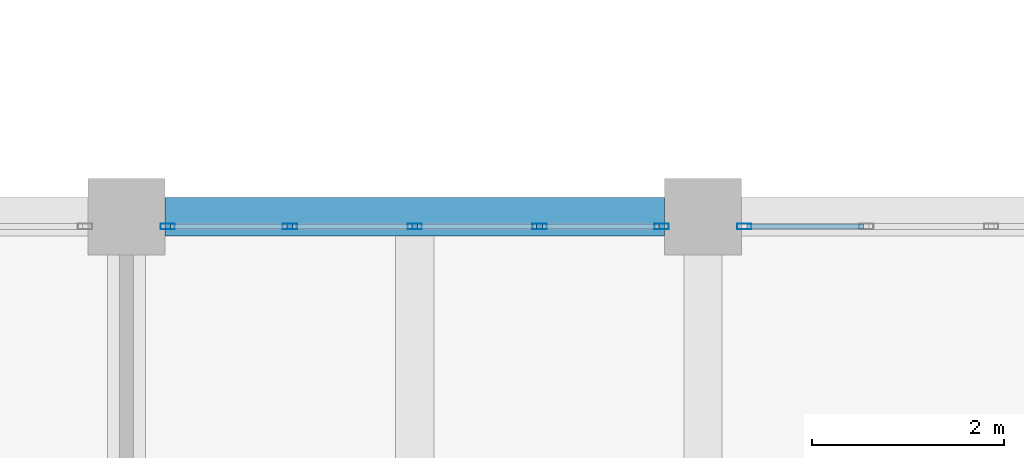
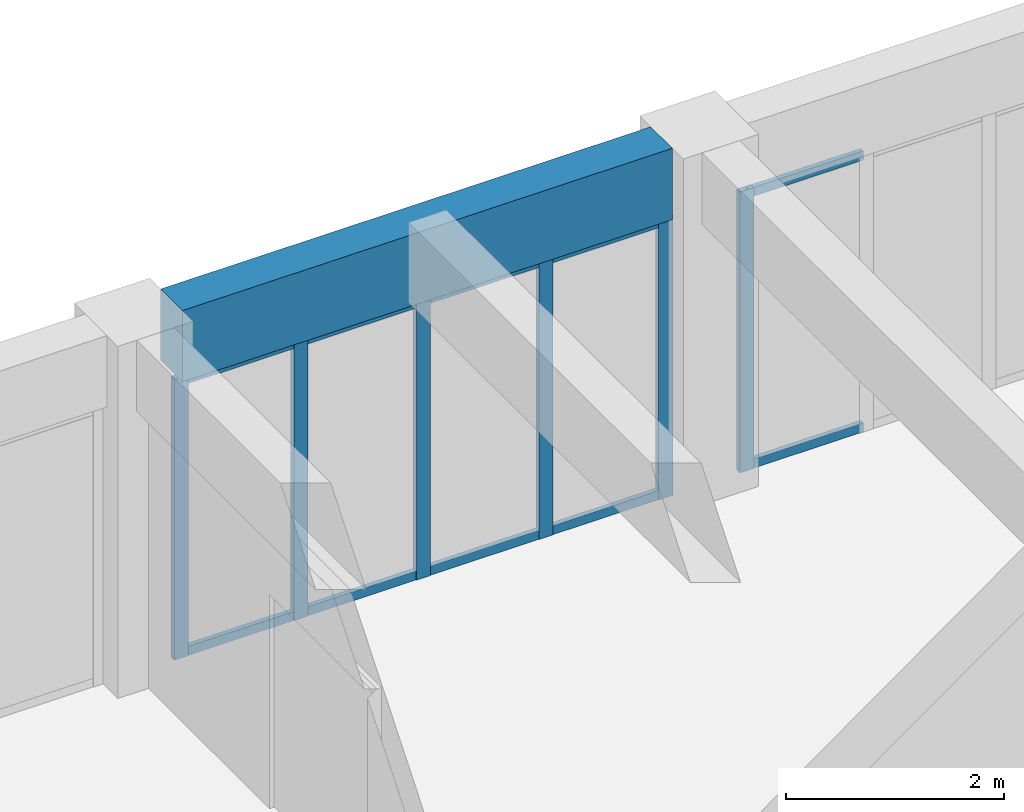
# One storey, part 17 of 92: 16 members, 1 beam, 2 elements without a shape of their own.
"""IFC4 building model written with IfcOpenShell, lengths in metres."""

from ifc_helpers import new_model, si_unit, direction, frame, origin, origin_2d, place, context, subcontext, project, spatial, rectangle, hollow_rectangle, extrude, material, material_profile, profile_set, type_object, element, aggregate, save


model = new_model("IFC4")

# Units and contexts
model_context = context("Model", 3, precision=1e-05, world=origin(), true_north=direction((0.0, 1.0)))
body_context = subcontext(model_context, "Body", "Model", "MODEL_VIEW")
ifc_project = project(units=[si_unit("LENGTHUNIT", "METRE"), si_unit("AREAUNIT", "SQUARE_METRE"), si_unit("VOLUMEUNIT", "CUBIC_METRE"), si_unit("PLANEANGLEUNIT", "RADIAN"), si_unit("MASSUNIT", "GRAM", prefix="KILO")], contexts=[model_context])

# Site, building, storey
site_placement = place(None, origin())
site = spatial("IfcSite", under=ifc_project, at=site_placement, CompositionType="ELEMENT")
building_placement = place(site_placement, origin())
building = spatial("IfcBuilding", under=site, at=building_placement, Name="Laocheng Heights Fire and Rescue Headquarters", CompositionType="ELEMENT")
storey_placement = place(building_placement, frame((0.0, 0.0, 12.60009765625)))
storey = spatial("IfcBuildingStorey", under=building, at=storey_placement, Name="L03", CompositionType="ELEMENT", Elevation=12.60009765625)

# Curtain wall, members
ifc_material_1 = material(Name="Aluminium unitised curtain wall, low-e double glazing", Category="aluminium")
curtain_wall_type = type_object("IfcCurtainWallType", Name="CW 5200 x 3150 GALLERY UNIT", PredefinedType="NOTDEFINED", material=ifc_material_1)
curtain_wall_1_placement = place(storey_placement, origin())
curtain_wall_1 = element("IfcCurtainWall", 1, at=curtain_wall_1_placement, inside=storey, type_object=curtain_wall_type, Name="Gallery north glazing L03", PredefinedType="NOTDEFINED")
ifc_material_2 = material(Name="Aluminium 6063-T5 extrusion", Category="aluminium")
ifc_material_profile_1 = material_profile(ifc_material_2, hollow_rectangle(XDim=0.06005859375, YDim=0.14990234375, WallThickness=0.0029296875, at=origin_2d()), Name="AL MULLION 150x60x3")
ifc_profile_set_1 = profile_set([ifc_material_profile_1], Name="Aluminium 6063-T5 extrusion")
member_type_1 = type_object("IfcMemberType", Name="AL CURTAIN WALL MULLION 150x60x3", PredefinedType="MULLION", material=ifc_profile_set_1)
member_1_placement = place(storey_placement, frame((48.429931640625, 28.699951171875, 0.0), z_axis=(0.0, 0.0, 1.0), x_axis=(0.0, 1.0, 0.0)))
member_1 = element("IfcMember", 2, at=member_1_placement, type_object=member_type_1, Name="X6-E mullion 1", PredefinedType="MULLION", context=body_context, shape_type="SweptSolid", body=[
    extrude(hollow_rectangle(XDim=0.06005859375, YDim=0.14990234375, WallThickness=0.0029296875, at=origin_2d()), origin(), (0.0, 0.0, 1.0), 3.14990234375),
])
member_2_placement = place(storey_placement, frame((49.699951171875, 28.699951171875, 0.0), z_axis=(0.0, 0.0, 1.0), x_axis=(0.0, 1.0, 0.0)))
member_2 = element("IfcMember", 3, at=member_2_placement, type_object=member_type_1, Name="X6-E mullion 2", PredefinedType="MULLION", context=body_context, shape_type="SweptSolid", body=[
    extrude(hollow_rectangle(XDim=0.06005859375, YDim=0.14990234375, WallThickness=0.0029296875, at=origin_2d()), origin(), (0.0, 0.0, 1.0), 3.14990234375),
])
member_3_placement = place(storey_placement, frame((51.0, 28.699951171875, 0.0), z_axis=(0.0, 0.0, 1.0), x_axis=(0.0, 1.0, 0.0)))
member_3 = element("IfcMember", 4, at=member_3_placement, type_object=member_type_1, Name="X6-E mullion 3", PredefinedType="MULLION", context=body_context, shape_type="SweptSolid", body=[
    extrude(hollow_rectangle(XDim=0.06005859375, YDim=0.14990234375, WallThickness=0.0029296875, at=origin_2d()), origin(), (0.0, 0.0, 1.0), 3.14990234375),
])
member_4_placement = place(storey_placement, frame((52.300048828125, 28.699951171875, 0.0), z_axis=(0.0, 0.0, 1.0), x_axis=(0.0, 1.0, 0.0)))
member_4 = element("IfcMember", 5, at=member_4_placement, type_object=member_type_1, Name="X6-E mullion 4", PredefinedType="MULLION", context=body_context, shape_type="SweptSolid", body=[
    extrude(hollow_rectangle(XDim=0.06005859375, YDim=0.14990234375, WallThickness=0.0029296875, at=origin_2d()), origin(), (0.0, 0.0, 1.0), 3.14990234375),
])
member_5_placement = place(storey_placement, frame((53.570068359375, 28.699951171875, 0.0), z_axis=(0.0, 0.0, 1.0), x_axis=(0.0, 1.0, 0.0)))
member_5 = element("IfcMember", 6, at=member_5_placement, type_object=member_type_1, Name="X6-E mullion 5", PredefinedType="MULLION", context=body_context, shape_type="SweptSolid", body=[
    extrude(hollow_rectangle(XDim=0.06005859375, YDim=0.14990234375, WallThickness=0.0029296875, at=origin_2d()), origin(), (0.0, 0.0, 1.0), 3.14990234375),
])

# Curtain wall, member
curtain_wall_2_placement = place(storey_placement, origin())
curtain_wall_2 = element("IfcCurtainWall", 7, at=curtain_wall_2_placement, inside=storey, type_object=curtain_wall_type, Name="Gallery north glazing L03", PredefinedType="NOTDEFINED")
member_6_placement = place(storey_placement, frame((54.429931640625, 28.699951171875, 0.0), z_axis=(0.0, 0.0, 1.0), x_axis=(0.0, 1.0, 0.0)))
member_6 = element("IfcMember", 8, at=member_6_placement, type_object=member_type_1, Name="X6-E mullion 1", PredefinedType="MULLION", context=body_context, shape_type="SweptSolid", body=[
    extrude(hollow_rectangle(XDim=0.06005859375, YDim=0.14990234375, WallThickness=0.0029296875, at=origin_2d()), origin(), (0.0, 0.0, 1.0), 3.14990234375),
])

# Member
ifc_material_3 = material(Name="Aluminium 6063-T5 extrusion", Category="aluminium")
ifc_material_profile_2 = material_profile(ifc_material_3, hollow_rectangle(XDim=0.050048828125, YDim=0.10009765625, WallThickness=0.0029296875, at=origin_2d()), Name="AL TRANSOM 100x50x3")
ifc_profile_set_2 = profile_set([ifc_material_profile_2], Name="Aluminium 6063-T5 extrusion")
member_type_2 = type_object("IfcMemberType", Name="AL CURTAIN WALL TRANSOM 100x50x3", PredefinedType="USERDEFINED", material=ifc_profile_set_2)
member_7_placement = place(storey_placement, frame((48.4599609375, 28.699951171875, 0.0498046875), z_axis=(1.0, 0.0, 0.0), x_axis=(0.0, 1.0, 0.0)))
member_7 = element("IfcMember", 9, at=member_7_placement, type_object=member_type_2, Name="X6-E transom 1.1", ObjectType="TRANSOM", PredefinedType="USERDEFINED", context=body_context, shape_type="SweptSolid", body=[
    extrude(hollow_rectangle(XDim=0.050048828125, YDim=0.10009765625, WallThickness=0.0029296875, at=origin_2d()), origin(), (0.0, 0.0, 1.0), 1.2099609375),
])

member_8_placement = place(storey_placement, frame((48.4599609375, 28.699951171875, 3.099853515625), z_axis=(1.0, 0.0, 0.0), x_axis=(0.0, 1.0, 0.0)))
member_8 = element("IfcMember", 10, at=member_8_placement, type_object=member_type_2, Name="X6-E transom 1.2", ObjectType="TRANSOM", PredefinedType="USERDEFINED", context=body_context, shape_type="SweptSolid", body=[
    extrude(hollow_rectangle(XDim=0.050048828125, YDim=0.10009765625, WallThickness=0.0029296875, at=origin_2d()), origin(), (0.0, 0.0, 1.0), 1.2099609375),
])

member_9_placement = place(storey_placement, frame((49.72998046875, 28.699951171875, 0.0498046875), z_axis=(1.0, 0.0, 0.0), x_axis=(0.0, 1.0, 0.0)))
member_9 = element("IfcMember", 11, at=member_9_placement, type_object=member_type_2, Name="X6-E transom 2.1", ObjectType="TRANSOM", PredefinedType="USERDEFINED", context=body_context, shape_type="SweptSolid", body=[
    extrude(hollow_rectangle(XDim=0.050048828125, YDim=0.10009765625, WallThickness=0.0029296875, at=origin_2d()), origin(), (0.0, 0.0, 1.0), 1.239990234375),
])

member_10_placement = place(storey_placement, frame((49.72998046875, 28.699951171875, 3.099853515625), z_axis=(1.0, 0.0, 0.0), x_axis=(0.0, 1.0, 0.0)))
member_10 = element("IfcMember", 12, at=member_10_placement, type_object=member_type_2, Name="X6-E transom 2.2", ObjectType="TRANSOM", PredefinedType="USERDEFINED", context=body_context, shape_type="SweptSolid", body=[
    extrude(hollow_rectangle(XDim=0.050048828125, YDim=0.10009765625, WallThickness=0.0029296875, at=origin_2d()), origin(), (0.0, 0.0, 1.0), 1.239990234375),
])

member_11_placement = place(storey_placement, frame((51.030029296875, 28.699951171875, 0.0498046875), z_axis=(1.0, 0.0, 0.0), x_axis=(0.0, 1.0, 0.0)))
member_11 = element("IfcMember", 13, at=member_11_placement, type_object=member_type_2, Name="X6-E transom 3.1", ObjectType="TRANSOM", PredefinedType="USERDEFINED", context=body_context, shape_type="SweptSolid", body=[
    extrude(hollow_rectangle(XDim=0.050048828125, YDim=0.10009765625, WallThickness=0.0029296875, at=origin_2d()), origin(), (0.0, 0.0, 1.0), 1.239990234375),
])

member_12_placement = place(storey_placement, frame((51.030029296875, 28.699951171875, 3.099853515625), z_axis=(1.0, 0.0, 0.0), x_axis=(0.0, 1.0, 0.0)))
member_12 = element("IfcMember", 14, at=member_12_placement, type_object=member_type_2, Name="X6-E transom 3.2", ObjectType="TRANSOM", PredefinedType="USERDEFINED", context=body_context, shape_type="SweptSolid", body=[
    extrude(hollow_rectangle(XDim=0.050048828125, YDim=0.10009765625, WallThickness=0.0029296875, at=origin_2d()), origin(), (0.0, 0.0, 1.0), 1.239990234375),
])

member_13_placement = place(storey_placement, frame((52.330078125, 28.699951171875, 0.0498046875), z_axis=(1.0, 0.0, 0.0), x_axis=(0.0, 1.0, 0.0)))
member_13 = element("IfcMember", 15, at=member_13_placement, type_object=member_type_2, Name="X6-E transom 4.1", ObjectType="TRANSOM", PredefinedType="USERDEFINED", context=body_context, shape_type="SweptSolid", body=[
    extrude(hollow_rectangle(XDim=0.050048828125, YDim=0.10009765625, WallThickness=0.0029296875, at=origin_2d()), origin(), (0.0, 0.0, 1.0), 1.2099609375),
])

member_14_placement = place(storey_placement, frame((52.330078125, 28.699951171875, 3.099853515625), z_axis=(1.0, 0.0, 0.0), x_axis=(0.0, 1.0, 0.0)))
member_14 = element("IfcMember", 16, at=member_14_placement, type_object=member_type_2, Name="X6-E transom 4.2", ObjectType="TRANSOM", PredefinedType="USERDEFINED", context=body_context, shape_type="SweptSolid", body=[
    extrude(hollow_rectangle(XDim=0.050048828125, YDim=0.10009765625, WallThickness=0.0029296875, at=origin_2d()), origin(), (0.0, 0.0, 1.0), 1.2099609375),
])

aggregate(curtain_wall_1, [member_1, member_2, member_3, member_4, member_5, member_7, member_8, member_9, member_10, member_11, member_12, member_13, member_14])

member_15_placement = place(storey_placement, frame((54.4599609375, 28.699951171875, 0.0498046875), z_axis=(1.0, 0.0, 0.0), x_axis=(0.0, 1.0, 0.0)))
member_15 = element("IfcMember", 17, at=member_15_placement, type_object=member_type_2, Name="X6-E transom 1.1", ObjectType="TRANSOM", PredefinedType="USERDEFINED", context=body_context, shape_type="SweptSolid", body=[
    extrude(hollow_rectangle(XDim=0.050048828125, YDim=0.10009765625, WallThickness=0.0029296875, at=origin_2d()), origin(), (0.0, 0.0, 1.0), 1.2099609375),
])

member_16_placement = place(storey_placement, frame((54.4599609375, 28.699951171875, 3.099853515625), z_axis=(1.0, 0.0, 0.0), x_axis=(0.0, 1.0, 0.0)))
member_16 = element("IfcMember", 18, at=member_16_placement, type_object=member_type_2, Name="X6-E transom 1.2", ObjectType="TRANSOM", PredefinedType="USERDEFINED", context=body_context, shape_type="SweptSolid", body=[
    extrude(hollow_rectangle(XDim=0.050048828125, YDim=0.10009765625, WallThickness=0.0029296875, at=origin_2d()), origin(), (0.0, 0.0, 1.0), 1.2099609375),
])

aggregate(curtain_wall_2, [member_6, member_15, member_16])

# Beam
ifc_material_4 = material(Name="Concrete C40", Category="concrete")
ifc_material_profile_3 = material_profile(ifc_material_4, rectangle(XDim=0.39990234375, YDim=0.800048828125, at=origin_2d()), Name="RC BEAM 400x800 GALLERY FLOOR")
ifc_profile_set_3 = profile_set([ifc_material_profile_3], Name="Concrete C40")
beam_type = type_object("IfcBeamType", Name="RC BEAM 400x800 GALLERY FLOOR", PredefinedType="BEAM", material=ifc_profile_set_3)
beam_placement = place(storey_placement, frame((48.39990234375, 28.800048828125, 3.5498046875), z_axis=(1.0, 0.0, 0.0), x_axis=(0.0, 1.0, 0.0)))
element("IfcBeam", 19, at=beam_placement, inside=storey, type_object=beam_type, Name="Gallery roof beam", PredefinedType="BEAM", context=body_context, shape_type="SweptSolid", body=[
    extrude(rectangle(XDim=0.39990234375, YDim=0.800048828125, at=origin_2d()), origin(), (0.0, 0.0, 1.0), 5.2001953125),
])

save(model, "model.ifc")
